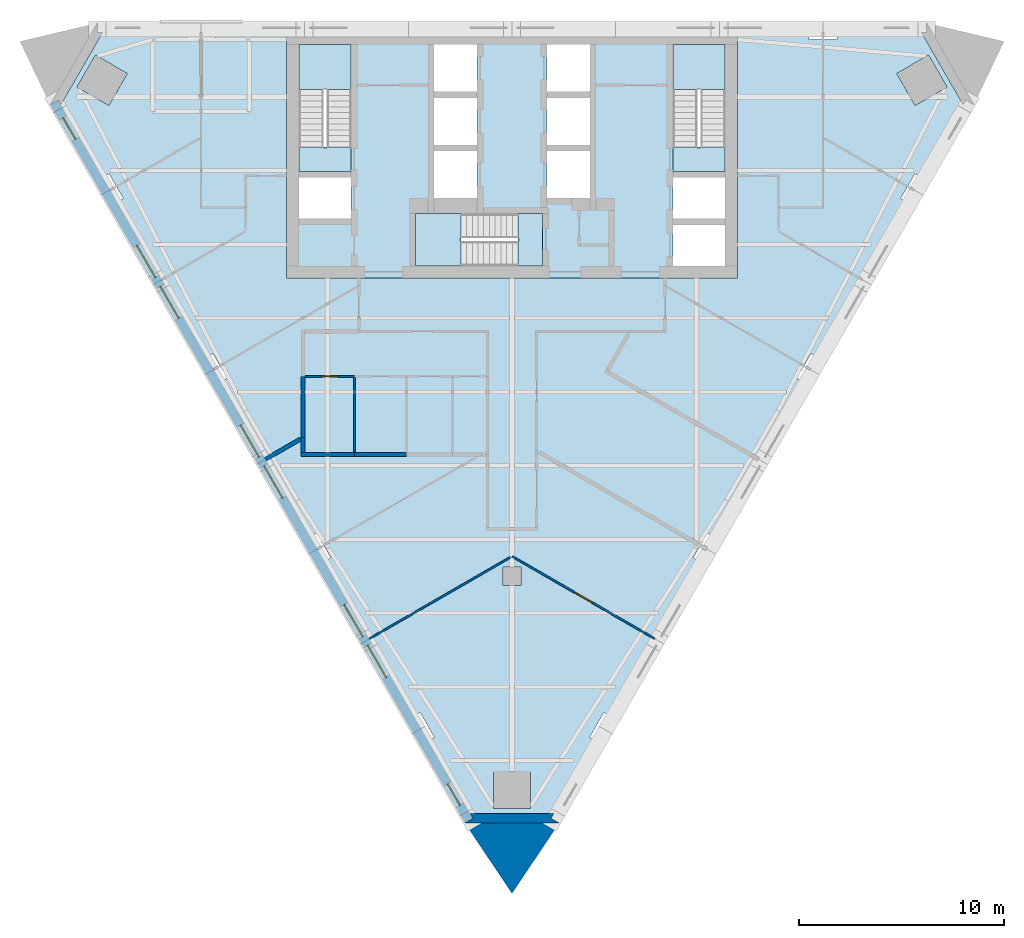
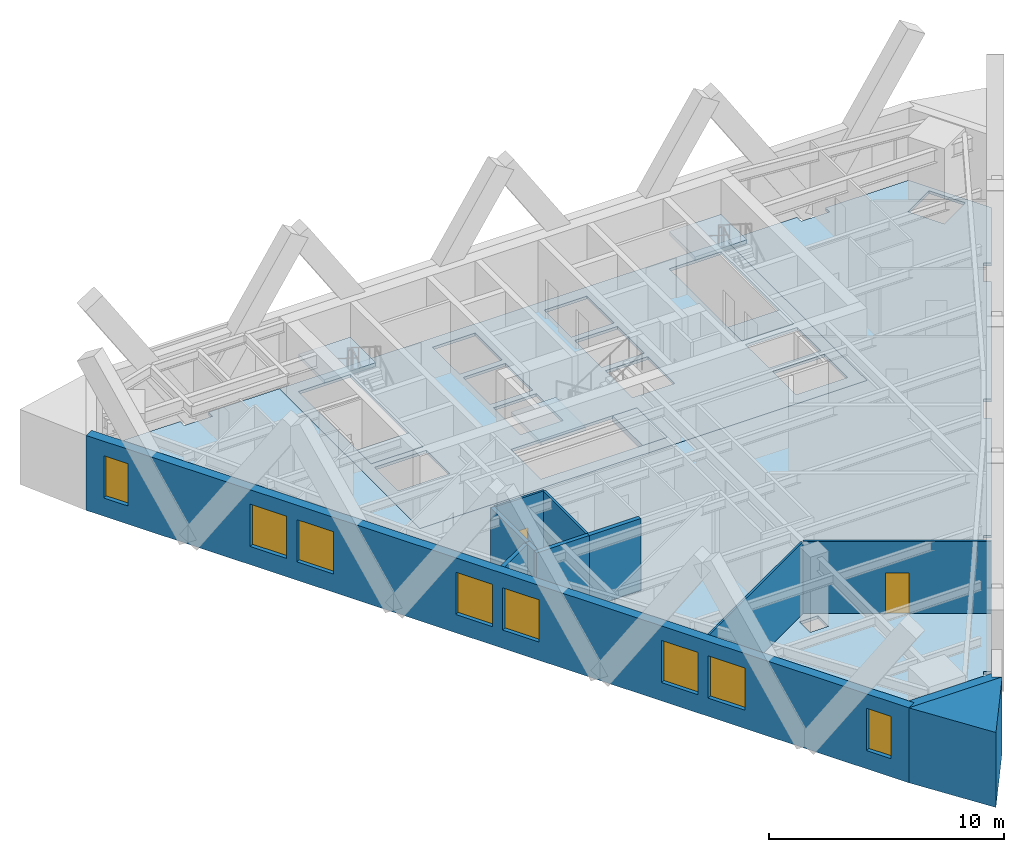
# One storey, part 2 of 7: 12 walls, 8 slabs, 8 windows, 2 doors, 10 openings, 3 elements without a shape of their own.
"""IFC4 building model written with IfcOpenShell, lengths in metres."""

from ifc_helpers import new_model, si_unit, direction, frame, frame_2d, origin, place, context, subcontext, project, spatial, polyline, rectangle, outline, extrude, material, layer, layer_set, type_object, element, fill, aggregate, save


model = new_model("IFC4")

# Units and contexts
model_context = context("Model", 3, precision=1e-05, world=origin(), true_north=direction((0.0, 1.0)))
body_context = subcontext(model_context, "Body", "Model", "MODEL_VIEW")
ifc_project = project(units=[si_unit("LENGTHUNIT", "METRE"), si_unit("AREAUNIT", "SQUARE_METRE"), si_unit("VOLUMEUNIT", "CUBIC_METRE"), si_unit("PLANEANGLEUNIT", "RADIAN"), si_unit("MASSUNIT", "GRAM", prefix="KILO")], contexts=[model_context])

# Site, building, storey
site_placement = place(None, origin())
site = spatial("IfcSite", under=ifc_project, at=site_placement, CompositionType="ELEMENT")
building_placement = place(site_placement, origin())
building = spatial("IfcBuilding", under=site, at=building_placement, Name="Aloe Facet Convention Tower", CompositionType="ELEMENT")
storey_placement = place(building_placement, frame((0.0, 0.0, 136.39990234375)))
storey = spatial("IfcBuildingStorey", under=building, at=storey_placement, Name="L34", CompositionType="ELEMENT", Elevation=136.39990234375)

# Slabs
ifc_material_1 = material(Name="Concrete C60/75", Category="concrete")
ifc_layer_1 = layer(ifc_material_1, 0.14990234375)
ifc_layer_set_1 = layer_set([ifc_layer_1], Name="CR-S-FLOOR150-C6075")
slab_type_1 = type_object("IfcSlabType", Name="CR-S-FLOOR150-C6075", PredefinedType="FLOOR", material=ifc_layer_set_1)
slab_1_placement = place(storey_placement, frame((0.0, 0.0, -0.14990234375)))
element("IfcSlab", 1, at=slab_1_placement, inside=storey, type_object=slab_type_1, Name="Core floor L34", PredefinedType="FLOOR", context=body_context, shape_type="SweptSolid", body=[
    extrude(outline(polyline([(71.85009765625, 134.550048828125), (72.75, 134.550048828125), (75.60009765625, 134.550048828125), (76.5, 134.550048828125), (78.0, 134.550048828125), (78.89990234375, 134.550048828125), (81.10009765625, 134.550048828125), (82.0, 134.550048828125), (83.5, 134.550048828125), (84.39990234375, 134.550048828125), (87.25, 134.550048828125), (88.14990234375, 134.550048828125), (91.0, 134.550048828125), (91.0, 128.050048828125), (91.0, 127.14990234375), (91.0, 125.75), (91.0, 124.85009765625), (91.0, 122.550048828125), (88.14990234375, 122.550048828125), (87.25, 122.550048828125), (85.300048828125, 122.550048828125), (84.39990234375, 122.550048828125), (82.10009765625, 122.550048828125), (81.199951171875, 122.550048828125), (75.60009765625, 122.550048828125), (74.699951171875, 122.550048828125), (72.75, 122.550048828125), (71.85009765625, 122.550048828125), (69.0, 122.550048828125), (69.0, 124.85009765625), (69.0, 125.75), (69.0, 127.14990234375), (69.0, 128.050048828125), (69.0, 134.550048828125), (71.85009765625, 134.550048828125)]), holes=[polyline([(80.298828125, 123.14990234375), (81.5, 123.14990234375), (81.5, 125.699951171875), (80.298828125, 125.699951171875), (75.300048828125, 125.699951171875), (75.300048828125, 123.14990234375), (80.298828125, 123.14990234375)]), polyline([(69.60009765625, 125.449951171875), (72.14990234375, 125.449951171875), (72.14990234375, 127.449951171875), (69.60009765625, 127.449951171875), (69.60009765625, 125.449951171875)]), polyline([(76.199951171875, 126.449951171875), (78.300048828125, 126.449951171875), (78.300048828125, 128.75), (76.199951171875, 128.75), (76.199951171875, 126.449951171875)]), polyline([(78.300048828125, 129.050048828125), (78.300048828125, 131.35009765625), (76.199951171875, 131.35009765625), (76.199951171875, 129.050048828125), (78.300048828125, 129.050048828125)]), polyline([(69.60009765625, 133.949951171875), (69.60009765625, 128.951171875), (69.60009765625, 127.75), (72.14990234375, 127.75), (72.14990234375, 128.951171875), (72.14990234375, 133.949951171875), (69.60009765625, 133.949951171875)]), polyline([(76.199951171875, 131.64990234375), (78.300048828125, 131.64990234375), (78.300048828125, 133.949951171875), (76.199951171875, 133.949951171875), (76.199951171875, 131.64990234375)]), polyline([(90.39990234375, 123.14990234375), (90.39990234375, 125.14990234375), (87.85009765625, 125.14990234375), (87.85009765625, 123.14990234375), (90.39990234375, 123.14990234375)]), polyline([(87.85009765625, 125.449951171875), (90.39990234375, 125.449951171875), (90.39990234375, 127.449951171875), (87.85009765625, 127.449951171875), (87.85009765625, 125.449951171875)]), polyline([(81.699951171875, 126.449951171875), (83.800048828125, 126.449951171875), (83.800048828125, 128.75), (81.699951171875, 128.75), (81.699951171875, 126.449951171875)]), polyline([(83.800048828125, 129.050048828125), (83.800048828125, 131.35009765625), (81.699951171875, 131.35009765625), (81.699951171875, 129.050048828125), (83.800048828125, 129.050048828125)]), polyline([(87.85009765625, 133.949951171875), (87.85009765625, 128.951171875), (87.85009765625, 127.75), (90.39990234375, 127.75), (90.39990234375, 128.951171875), (90.39990234375, 133.949951171875), (87.85009765625, 133.949951171875)]), polyline([(81.699951171875, 131.64990234375), (83.800048828125, 131.64990234375), (83.800048828125, 133.949951171875), (81.699951171875, 133.949951171875), (81.699951171875, 131.64990234375)])]), origin(), (0.0, 0.0, 1.0), 0.14990234375),
])
ifc_material_2 = material(Name="Concrete C60/75", Category="concrete")
ifc_layer_2 = layer(ifc_material_2, 0.300048828125)
ifc_layer_set_2 = layer_set([ifc_layer_2], Name="CR-S-FLOOR300-C6075")
slab_type_2 = type_object("IfcSlabType", Name="CR-S-FLOOR300-C6075", PredefinedType="FLOOR", material=ifc_layer_set_2)
slab_2_placement = place(storey_placement, frame((0.0, 0.0, -0.2998046875)))
element("IfcSlab", 2, at=slab_2_placement, inside=storey, type_object=slab_type_2, Name="Stair landing floor L34", PredefinedType="FLOOR", context=body_context, shape_type="SweptSolid", body=[
    extrude(outline(polyline([(72.14990234375, 127.75), (72.14990234375, 128.951171875), (69.60009765625, 128.951171875), (69.60009765625, 127.75), (72.14990234375, 127.75)])), origin(), (0.0, 0.0, 1.0), 0.2998046875),
])
slab_3_placement = place(storey_placement, frame((0.0, 0.0, -0.2998046875)))
element("IfcSlab", 3, at=slab_3_placement, inside=storey, type_object=slab_type_2, Name="Stair landing floor L34", PredefinedType="FLOOR", context=body_context, shape_type="SweptSolid", body=[
    extrude(outline(polyline([(90.39990234375, 127.75), (90.39990234375, 128.951171875), (87.85009765625, 128.951171875), (87.85009765625, 127.75), (90.39990234375, 127.75)])), origin(), (0.0, 0.0, 1.0), 0.2998046875),
])
slab_4_placement = place(storey_placement, frame((0.0, 0.0, -0.2998046875)))
element("IfcSlab", 4, at=slab_4_placement, inside=storey, type_object=slab_type_2, Name="Stair landing floor L34", PredefinedType="FLOOR", context=body_context, shape_type="SweptSolid", body=[
    extrude(outline(polyline([(81.5, 125.699951171875), (80.298828125, 125.699951171875), (80.298828125, 123.14990234375), (81.5, 123.14990234375), (81.5, 125.699951171875)])), origin(), (0.0, 0.0, 1.0), 0.2998046875),
])

# Stair, slab
ifc_material_3 = material(Name="Concrete C50/60", Category="concrete")
stair_type = type_object("IfcStairType", Name="CR-ST-22R", PredefinedType="HALF_TURN_STAIR", material=ifc_material_3)
stair_1_placement = place(storey_placement, origin())
stair_1 = element("IfcStair", 5, at=stair_1_placement, inside=storey, type_object=stair_type, Name="L34 Protected exit stair ST1", PredefinedType="HALF_TURN_STAIR")
ifc_material_4 = material(Name="Concrete C50/60", Category="concrete")
ifc_layer_3 = layer(ifc_material_4, 0.199951171875)
ifc_layer_set_3 = layer_set([ifc_layer_3], Name="CR-SL-LANDING")
slab_type_3 = type_object("IfcSlabType", Name="CR-SL-LANDING", PredefinedType="LANDING", material=ifc_layer_set_3)
slab_5_placement = place(storey_placement, frame((0.0, 0.0, 1.75)))
slab_5 = element("IfcSlab", 6, at=slab_5_placement, type_object=slab_type_3, Name="ST1 landing 1", PredefinedType="LANDING", context=body_context, shape_type="SweptSolid", body=[
    extrude(outline(polyline([(72.14990234375, 131.75), (72.14990234375, 133.949951171875), (69.60009765625, 133.949951171875), (69.60009765625, 131.75), (72.14990234375, 131.75)])), origin(), (0.0, 0.0, 1.0), 0.2001953125),
])
aggregate(stair_1, [slab_5])

stair_2_placement = place(storey_placement, origin())
stair_2 = element("IfcStair", 7, at=stair_2_placement, inside=storey, type_object=stair_type, Name="L34 Protected exit stair ST2", PredefinedType="HALF_TURN_STAIR")
slab_6_placement = place(storey_placement, frame((0.0, 0.0, 1.75)))
slab_6 = element("IfcSlab", 8, at=slab_6_placement, type_object=slab_type_3, Name="ST2 landing 1", PredefinedType="LANDING", context=body_context, shape_type="SweptSolid", body=[
    extrude(outline(polyline([(90.39990234375, 131.75), (90.39990234375, 133.949951171875), (87.85009765625, 133.949951171875), (87.85009765625, 131.75), (90.39990234375, 131.75)])), origin(), (0.0, 0.0, 1.0), 0.2001953125),
])
aggregate(stair_2, [slab_6])

stair_3_placement = place(storey_placement, origin())
stair_3 = element("IfcStair", 9, at=stair_3_placement, inside=storey, type_object=stair_type, Name="L34 Protected exit stair ST3", PredefinedType="HALF_TURN_STAIR")
slab_7_placement = place(storey_placement, frame((0.0, 0.0, 1.75)))
slab_7 = element("IfcSlab", 10, at=slab_7_placement, type_object=slab_type_3, Name="ST3 landing 1", PredefinedType="LANDING", context=body_context, shape_type="SweptSolid", body=[
    extrude(outline(polyline([(77.5, 125.699951171875), (75.300048828125, 125.699951171875), (75.300048828125, 123.14990234375), (77.5, 123.14990234375), (77.5, 125.699951171875)])), origin(), (0.0, 0.0, 1.0), 0.2001953125),
])
aggregate(stair_3, [slab_7])

# Slab
ifc_material_5 = material(Name="Concrete C35/45", Category="concrete")
ifc_layer_4 = layer(ifc_material_5, 0.14990234375)
ifc_layer_set_4 = layer_set([ifc_layer_4], Name="SF-FS-150")
slab_type_4 = type_object("IfcSlabType", Name="SF-FS-150", PredefinedType="FLOOR", material=ifc_layer_set_4)
slab_8_placement = place(storey_placement, frame((0.0, 0.0, -0.14990234375)))
element("IfcSlab", 11, at=slab_8_placement, inside=storey, type_object=slab_type_4, Name="Floor slab L34-1", PredefinedType="FLOOR", context=body_context, shape_type="SweptSolid", body=[
    extrude(outline(polyline([(102.0234375, 131.016357421875), (99.9697265625, 127.458984375), (99.66650390625, 127.634033203125), (99.617919921875, 127.5498046875), (99.31982421875, 127.033447265625), (99.108154296875, 126.666748046875), (98.97314453125, 126.43310546875), (99.2763671875, 126.258056640625), (94.908935546875, 118.693603515625), (94.605712890625, 118.868408203125), (94.55712890625, 118.7841796875), (94.374755859375, 118.46826171875), (94.259033203125, 118.26806640625), (94.1435546875, 118.06787109375), (93.961181640625, 117.751708984375), (93.912353515625, 117.66748046875), (94.215576171875, 117.49267578125), (89.84814453125, 109.927978515625), (89.544921875, 110.10302734375), (89.496337890625, 110.018798828125), (89.3740234375, 109.806884765625), (89.31396484375, 109.70263671875), (89.1982421875, 109.50244140625), (89.14599609375, 109.411865234375), (88.900390625, 108.986328125), (88.851806640625, 108.902099609375), (89.15478515625, 108.72705078125), (84.787353515625, 101.16259765625), (84.484130859375, 101.33740234375), (84.435546875, 101.253173828125), (84.313232421875, 101.04150390625), (84.253173828125, 100.937255859375), (83.791015625, 100.136474609375), (84.093994140625, 99.96142578125), (82.040283203125, 96.404296875), (77.959716796875, 96.404296875), (75.906005859375, 99.96142578125), (76.208984375, 100.136474609375), (75.97802734375, 100.536865234375), (75.71533203125, 100.99169921875), (75.564453125, 101.253173828125), (75.515869140625, 101.33740234375), (75.212646484375, 101.16259765625), (70.84521484375, 108.72705078125), (71.148193359375, 108.902099609375), (71.099609375, 108.986328125), (71.050048828125, 109.072509765625), (70.917236328125, 109.30224609375), (70.455078125, 110.10302734375), (70.15185546875, 109.927978515625), (65.784423828125, 117.49267578125), (66.087646484375, 117.66748046875), (66.038818359375, 117.751708984375), (65.86865234375, 118.046630859375), (65.8564453125, 118.06787109375), (65.8564453125, 118.06787109375), (65.394287109375, 118.868408203125), (65.091064453125, 118.693603515625), (60.7236328125, 126.258056640625), (61.02685546875, 126.43310546875), (60.68017578125, 127.033447265625), (60.626708984375, 127.1259765625), (60.564453125, 127.233642578125), (60.382080078125, 127.5498046875), (60.33349609375, 127.634033203125), (60.0302734375, 127.458984375), (57.9765625, 131.016357421875), (60.0166015625, 134.550048828125), (64.124267578125, 134.550048828125), (64.124267578125, 134.199951171875), (64.2216796875, 134.199951171875), (64.58642578125, 134.199951171875), (64.817626953125, 134.199951171875), (65.048828125, 134.199951171875), (65.413818359375, 134.199951171875), (65.510986328125, 134.199951171875), (65.510986328125, 134.550048828125), (69.0, 134.550048828125), (69.0, 128.050048828125), (69.0, 127.14990234375), (69.0, 125.75), (69.0, 124.85009765625), (69.0, 122.550048828125), (71.85009765625, 122.550048828125), (72.75, 122.550048828125), (74.699951171875, 122.550048828125), (75.60009765625, 122.550048828125), (81.199951171875, 122.550048828125), (82.10009765625, 122.550048828125), (84.39990234375, 122.550048828125), (85.300048828125, 122.550048828125), (87.25, 122.550048828125), (88.14990234375, 122.550048828125), (91.0, 122.550048828125), (91.0, 124.85009765625), (91.0, 125.75), (91.0, 127.14990234375), (91.0, 128.050048828125), (91.0, 134.550048828125), (94.489013671875, 134.550048828125), (94.489013671875, 134.199951171875), (94.586181640625, 134.199951171875), (94.951171875, 134.199951171875), (95.182373046875, 134.199951171875), (95.41357421875, 134.199951171875), (95.7783203125, 134.199951171875), (95.875732421875, 134.199951171875), (95.875732421875, 134.550048828125), (99.9833984375, 134.550048828125), (102.0234375, 131.016357421875)]), holes=[polyline([(61.221923828125, 132.53759765625), (59.6630859375, 133.4375), (58.76318359375, 131.878662109375), (60.322021484375, 130.978759765625), (61.221923828125, 132.53759765625)]), polyline([(79.10009765625, 98.4541015625), (79.10009765625, 96.654296875), (80.89990234375, 96.654296875), (80.89990234375, 98.4541015625), (79.10009765625, 98.4541015625)]), polyline([(79.550048828125, 107.550048828125), (80.449951171875, 107.550048828125), (80.449951171875, 108.449951171875), (79.550048828125, 108.449951171875), (79.550048828125, 107.550048828125)]), polyline([(99.677978515625, 130.978759765625), (101.23681640625, 131.878662109375), (100.3369140625, 133.4375), (98.778076171875, 132.53759765625), (99.677978515625, 130.978759765625)])]), origin(), (0.0, 0.0, 1.0), 0.14990234375),
])

# Walls
ifc_material_6 = material(Name="Precast concrete C40/50", Category="concrete")
ifc_layer_5 = layer(ifc_material_6, 0.449951171875)
ifc_layer_set_5 = layer_set([ifc_layer_5], Name="EV-WALL-PIER")
wall_type_1 = type_object("IfcWallType", Name="EV-WALL-PIER", PredefinedType="SOLIDWALL", material=ifc_layer_set_5)
wall_1_placement = place(storey_placement, frame((0.0, 0.0, -0.14990234375)))
element("IfcWall", 12, at=wall_1_placement, inside=storey, type_object=wall_type_1, Name="EP-L34-B", PredefinedType="SOLIDWALL", context=body_context, shape_type="SweptSolid", body=[
    extrude(outline(polyline([(77.699951171875, 95.954345703125), (78.089599609375, 96.17919921875), (77.959716796875, 96.404296875), (82.040283203125, 96.404296875), (81.910400390625, 96.17919921875), (82.300048828125, 95.954345703125), (77.699951171875, 95.954345703125)])), origin(), (0.0, 0.0, 1.0), 3.89990234375),
])
ifc_material_7 = material(Name="Precast concrete C40/50", Category="concrete")
ifc_layer_6 = layer(ifc_material_7, 3.947998046875)
ifc_layer_set_6 = layer_set([ifc_layer_6], Name="EV-WALL-SPINE")
wall_type_2 = type_object("IfcWallType", Name="EV-WALL-SPINE", PredefinedType="SOLIDWALL", material=ifc_layer_set_6)
wall_2_placement = place(storey_placement, frame((0.0, 0.0, -0.14990234375)))
element("IfcWall", 13, at=wall_2_placement, inside=storey, type_object=wall_type_2, Name="SP-S-L34", PredefinedType="SOLIDWALL", context=body_context, shape_type="SweptSolid", body=[
    extrude(outline(polyline([(77.699951171875, 95.954345703125), (80.0, 92.505615234375), (82.300048828125, 95.954345703125), (77.699951171875, 95.954345703125)])), origin(), (0.0, 0.0, 1.0), 3.89990234375),
])

# Wall, openings, windows
ifc_material_8 = material(Name="Precast concrete C40/50", Category="concrete")
ifc_layer_7 = layer(ifc_material_8, 0.449951171875)
ifc_layer_set_7 = layer_set([ifc_layer_7], Name="EV-WALL-STONE")
wall_type_3 = type_object("IfcWallType", Name="EV-WALL-STONE", PredefinedType="SOLIDWALL", material=ifc_layer_set_7)
wall_3_placement = place(storey_placement, frame((57.65185546875, 131.128662109375, -0.14990234375), z_axis=(0.0, 0.0, 1.0), x_axis=(0.499997369791, -0.866026922331, 0.0)))
wall_3 = element("IfcWall", 14, at=wall_3_placement, inside=storey, type_object=wall_type_3, Name="EW-L34-W01", PredefinedType="SOLIDWALL", context=body_context, shape_type="SweptSolid", body=[
    extrude(outline(polyline([(40.486083984375, 0.0), (40.486083984375, 3.89990234375), (0.0, 3.89990234375), (0.0, 0.0), (40.486083984375, 0.0)])), frame((0.0, 0.22509765625, 0.0), z_axis=(0.0, -1.0, 0.0), x_axis=(1.0, 0.0, 0.0)), (0.0, 0.0, 1.0), 0.449951171875),
])
opening_1_placement = place(wall_3_placement, frame((0.86962890625, 0.0, 0.949951171875)))
opening_1 = element("IfcOpeningElement", 15, at=opening_1_placement, cuts=wall_3, Name="Opening W-L34-W01", PredefinedType="OPENING", context=body_context, shape_type="SweptSolid", body=[
    extrude(rectangle(XDim=1.199951171875, YDim=2.199951171875, at=frame_2d((0.60009765625, 1.10009765625))), frame((0.0, 0.23486328125, 0.0), z_axis=(0.0, -1.0, 0.0), x_axis=(1.0, 0.0, 0.0)), (0.0, 0.0, 1.0), 0.469970703125),
])
opening_2_placement = place(wall_3_placement, frame((8.071533203125, 0.0, 0.949951171875)))
opening_2 = element("IfcOpeningElement", 16, at=opening_2_placement, cuts=wall_3, Name="Opening W-L34-W02", PredefinedType="OPENING", context=body_context, shape_type="SweptSolid", body=[
    extrude(rectangle(XDim=1.800048828125, YDim=2.199951171875, at=frame_2d((0.89990234375, 1.10009765625))), frame((0.0, 0.23486328125, 0.0), z_axis=(0.0, -1.0, 0.0), x_axis=(1.0, 0.0, 0.0)), (0.0, 0.0, 1.0), 0.469970703125),
])
opening_3_placement = place(wall_3_placement, frame((10.37158203125, 0.0, 0.949951171875)))
opening_3 = element("IfcOpeningElement", 17, at=opening_3_placement, cuts=wall_3, Name="Opening W-L34-W03", PredefinedType="OPENING", context=body_context, shape_type="SweptSolid", body=[
    extrude(rectangle(XDim=1.800048828125, YDim=2.199951171875, at=frame_2d((0.89990234375, 1.10009765625))), frame((0.0, 0.23486328125, 0.0), z_axis=(0.0, -1.0, 0.0), x_axis=(1.0, 0.0, 0.0)), (0.0, 0.0, 1.0), 0.469970703125),
])
opening_4_placement = place(wall_3_placement, frame((18.193115234375, 0.0, 0.949951171875)))
opening_4 = element("IfcOpeningElement", 18, at=opening_4_placement, cuts=wall_3, Name="Opening W-L34-W04", PredefinedType="OPENING", context=body_context, shape_type="SweptSolid", body=[
    extrude(rectangle(XDim=1.800048828125, YDim=2.199951171875, at=frame_2d((0.89990234375, 1.10009765625))), frame((0.0, 0.23486328125, 0.0), z_axis=(0.0, -1.0, 0.0), x_axis=(1.0, 0.0, 0.0)), (0.0, 0.0, 1.0), 0.469970703125),
])
opening_5_placement = place(wall_3_placement, frame((20.4931640625, 0.0, 0.949951171875)))
opening_5 = element("IfcOpeningElement", 19, at=opening_5_placement, cuts=wall_3, Name="Opening W-L34-W05", PredefinedType="OPENING", context=body_context, shape_type="SweptSolid", body=[
    extrude(rectangle(XDim=1.800048828125, YDim=2.199951171875, at=frame_2d((0.89990234375, 1.10009765625))), frame((0.0, 0.23486328125, 0.0), z_axis=(0.0, -1.0, 0.0), x_axis=(1.0, 0.0, 0.0)), (0.0, 0.0, 1.0), 0.469970703125),
])
opening_6_placement = place(wall_3_placement, frame((28.314697265625, 0.0, 0.949951171875)))
opening_6 = element("IfcOpeningElement", 20, at=opening_6_placement, cuts=wall_3, Name="Opening W-L34-W06", PredefinedType="OPENING", context=body_context, shape_type="SweptSolid", body=[
    extrude(rectangle(XDim=1.800048828125, YDim=2.199951171875, at=frame_2d((0.89990234375, 1.10009765625))), frame((0.0, 0.23486328125, 0.0), z_axis=(0.0, -1.0, 0.0), x_axis=(1.0, 0.0, 0.0)), (0.0, 0.0, 1.0), 0.469970703125),
])
opening_7_placement = place(wall_3_placement, frame((30.614501953125, 0.0, 0.949951171875)))
opening_7 = element("IfcOpeningElement", 21, at=opening_7_placement, cuts=wall_3, Name="Opening W-L34-W07", PredefinedType="OPENING", context=body_context, shape_type="SweptSolid", body=[
    extrude(rectangle(XDim=1.800048828125, YDim=2.199951171875, at=frame_2d((0.89990234375, 1.10009765625))), frame((0.0, 0.23486328125, 0.0), z_axis=(0.0, -1.0, 0.0), x_axis=(1.0, 0.0, 0.0)), (0.0, 0.0, 1.0), 0.469970703125),
])
opening_8_placement = place(wall_3_placement, frame((38.41650390625, 0.0, 0.949951171875)))
opening_8 = element("IfcOpeningElement", 22, at=opening_8_placement, cuts=wall_3, Name="Opening W-L34-W08", PredefinedType="OPENING", context=body_context, shape_type="SweptSolid", body=[
    extrude(rectangle(XDim=1.199951171875, YDim=2.199951171875, at=frame_2d((0.60009765625, 1.10009765625))), frame((0.0, 0.23486328125, 0.0), z_axis=(0.0, -1.0, 0.0), x_axis=(1.0, 0.0, 0.0)), (0.0, 0.0, 1.0), 0.469970703125),
])
ifc_material_9 = material(Name="Aluminium frame, clear double glazing", Category="aluminium")
window_type_1 = type_object("IfcWindowType", Name="EV-WIN-O12", PartitioningType="SINGLE_PANEL", PredefinedType="WINDOW", material=ifc_material_9)
window_1_placement = place(opening_1_placement, origin())
window_1 = element("IfcWindow", 23, at=window_1_placement, inside=storey, type_object=window_type_1, Name="W-L34-W01", OverallHeight=2.199951171875, OverallWidth=1.199951171875, PartitioningType="SINGLE_PANEL", PredefinedType="WINDOW", context=body_context, shape_type="SweptSolid", body=[
    extrude(rectangle(XDim=1.199951171875, YDim=2.199951171875, at=frame_2d((0.60009765625, 1.10009765625))), frame((0.0, 0.030029296875, 0.0), z_axis=(0.0, -1.0, 0.0), x_axis=(1.0, 0.0, 0.0)), (0.0, 0.0, 1.0), 0.06005859375),
])
fill(opening_1, window_1)
window_2_placement = place(opening_8_placement, origin())
window_2 = element("IfcWindow", 24, at=window_2_placement, inside=storey, type_object=window_type_1, Name="W-L34-W08", OverallHeight=2.199951171875, OverallWidth=1.199951171875, PartitioningType="SINGLE_PANEL", PredefinedType="WINDOW", context=body_context, shape_type="SweptSolid", body=[
    extrude(rectangle(XDim=1.199951171875, YDim=2.199951171875, at=frame_2d((0.60009765625, 1.10009765625))), frame((0.0, 0.030029296875, 0.0), z_axis=(0.0, -1.0, 0.0), x_axis=(1.0, 0.0, 0.0)), (0.0, 0.0, 1.0), 0.06005859375),
])
fill(opening_8, window_2)
ifc_material_10 = material(Name="Aluminium frame, clear double glazing", Category="aluminium")
window_type_2 = type_object("IfcWindowType", Name="EV-WIN-O18", PartitioningType="SINGLE_PANEL", PredefinedType="WINDOW", material=ifc_material_10)
window_3_placement = place(opening_2_placement, origin())
window_3 = element("IfcWindow", 25, at=window_3_placement, inside=storey, type_object=window_type_2, Name="W-L34-W02", OverallHeight=2.199951171875, OverallWidth=1.800048828125, PartitioningType="SINGLE_PANEL", PredefinedType="WINDOW", context=body_context, shape_type="SweptSolid", body=[
    extrude(rectangle(XDim=1.800048828125, YDim=2.199951171875, at=frame_2d((0.89990234375, 1.10009765625))), frame((0.0, 0.030029296875, 0.0), z_axis=(0.0, -1.0, 0.0), x_axis=(1.0, 0.0, 0.0)), (0.0, 0.0, 1.0), 0.06005859375),
])
fill(opening_2, window_3)
window_4_placement = place(opening_3_placement, origin())
window_4 = element("IfcWindow", 26, at=window_4_placement, inside=storey, type_object=window_type_2, Name="W-L34-W03", OverallHeight=2.199951171875, OverallWidth=1.800048828125, PartitioningType="SINGLE_PANEL", PredefinedType="WINDOW", context=body_context, shape_type="SweptSolid", body=[
    extrude(rectangle(XDim=1.800048828125, YDim=2.199951171875, at=frame_2d((0.89990234375, 1.10009765625))), frame((0.0, 0.030029296875, 0.0), z_axis=(0.0, -1.0, 0.0), x_axis=(1.0, 0.0, 0.0)), (0.0, 0.0, 1.0), 0.06005859375),
])
fill(opening_3, window_4)
window_5_placement = place(opening_4_placement, origin())
window_5 = element("IfcWindow", 27, at=window_5_placement, inside=storey, type_object=window_type_2, Name="W-L34-W04", OverallHeight=2.199951171875, OverallWidth=1.800048828125, PartitioningType="SINGLE_PANEL", PredefinedType="WINDOW", context=body_context, shape_type="SweptSolid", body=[
    extrude(rectangle(XDim=1.800048828125, YDim=2.199951171875, at=frame_2d((0.89990234375, 1.10009765625))), frame((0.0, 0.030029296875, 0.0), z_axis=(0.0, -1.0, 0.0), x_axis=(1.0, 0.0, 0.0)), (0.0, 0.0, 1.0), 0.06005859375),
])
fill(opening_4, window_5)
window_6_placement = place(opening_5_placement, origin())
window_6 = element("IfcWindow", 28, at=window_6_placement, inside=storey, type_object=window_type_2, Name="W-L34-W05", OverallHeight=2.199951171875, OverallWidth=1.800048828125, PartitioningType="SINGLE_PANEL", PredefinedType="WINDOW", context=body_context, shape_type="SweptSolid", body=[
    extrude(rectangle(XDim=1.800048828125, YDim=2.199951171875, at=frame_2d((0.89990234375, 1.10009765625))), frame((0.0, 0.030029296875, 0.0), z_axis=(0.0, -1.0, 0.0), x_axis=(1.0, 0.0, 0.0)), (0.0, 0.0, 1.0), 0.06005859375),
])
fill(opening_5, window_6)
window_7_placement = place(opening_6_placement, origin())
window_7 = element("IfcWindow", 29, at=window_7_placement, inside=storey, type_object=window_type_2, Name="W-L34-W06", OverallHeight=2.199951171875, OverallWidth=1.800048828125, PartitioningType="SINGLE_PANEL", PredefinedType="WINDOW", context=body_context, shape_type="SweptSolid", body=[
    extrude(rectangle(XDim=1.800048828125, YDim=2.199951171875, at=frame_2d((0.89990234375, 1.10009765625))), frame((0.0, 0.030029296875, 0.0), z_axis=(0.0, -1.0, 0.0), x_axis=(1.0, 0.0, 0.0)), (0.0, 0.0, 1.0), 0.06005859375),
])
fill(opening_6, window_7)
window_8_placement = place(opening_7_placement, origin())
window_8 = element("IfcWindow", 30, at=window_8_placement, inside=storey, type_object=window_type_2, Name="W-L34-W07", OverallHeight=2.199951171875, OverallWidth=1.800048828125, PartitioningType="SINGLE_PANEL", PredefinedType="WINDOW", context=body_context, shape_type="SweptSolid", body=[
    extrude(rectangle(XDim=1.800048828125, YDim=2.199951171875, at=frame_2d((0.89990234375, 1.10009765625))), frame((0.0, 0.030029296875, 0.0), z_axis=(0.0, -1.0, 0.0), x_axis=(1.0, 0.0, 0.0)), (0.0, 0.0, 1.0), 0.06005859375),
])
fill(opening_7, window_8)

# Wall, opening, door
ifc_material_11 = material(Name="Gypsum board partition on steel studs", Category="steel")
ifc_layer_8 = layer(ifc_material_11, 0.10009765625)
ifc_layer_set_8 = layer_set([ifc_layer_8], Name="IN-W-PART")
wall_type_4 = type_object("IfcWallType", Name="IN-W-PART", PredefinedType="PARTITIONING", material=ifc_layer_set_8)
wall_4_placement = place(storey_placement, frame((80.0, 108.969482421875, 0.0), z_axis=(0.0, 0.0, 1.0), x_axis=(0.86602648383, -0.499998129301, 0.0)))
wall_4 = element("IfcWall", 31, at=wall_4_placement, inside=storey, type_object=wall_type_4, Name="Partition L34-W001", PredefinedType="PARTITIONING", context=body_context, shape_type="SweptSolid", body=[
    extrude(rectangle(XDim=8.04931640625, YDim=0.10009765625, at=frame_2d((4.024658203125, 0.0))), origin(), (0.0, 0.0, 1.0), 3.75),
])
opening_9_placement = place(wall_4_placement, frame((3.524658203125, 0.0, 0.0)))
opening_9 = element("IfcOpeningElement", 32, at=opening_9_placement, cuts=wall_4, Name="Opening L34-018", PredefinedType="OPENING", context=body_context, shape_type="SweptSolid", body=[
    extrude(rectangle(XDim=1.0, YDim=2.10009765625, at=frame_2d((0.5, 1.050048828125))), frame((0.0, 0.06005859375, 0.0), z_axis=(0.0, -1.0, 0.0), x_axis=(1.0, 0.0, 0.0)), (0.0, 0.0, 1.0), 0.1201171875),
])
ifc_material_12 = material(Name="Timber door", Category="wood")
door_type_1 = type_object("IfcDoorType", Name="IN-OFF-D-WIDE", OperationType="SINGLE_SWING_LEFT", PredefinedType="DOOR", material=ifc_material_12)
door_1_placement = place(opening_9_placement, origin())
door_1 = element("IfcDoor", 33, at=door_1_placement, inside=storey, type_object=door_type_1, Name="Door L34-018", OperationType="SINGLE_SWING_LEFT", OverallHeight=2.10009765625, OverallWidth=1.0, PredefinedType="DOOR", context=body_context, shape_type="SweptSolid", body=[
    extrude(rectangle(XDim=1.0, YDim=2.10009765625, at=frame_2d((0.5, 1.050048828125))), frame((0.0, 0.02490234375, 0.0), z_axis=(0.0, -1.0, 0.0), x_axis=(1.0, 0.0, 0.0)), (0.0, 0.0, 1.0), 0.050048828125),
])
fill(opening_9, door_1)

# Walls
wall_5_placement = place(storey_placement, frame((73.029052734375, 104.94482421875, 0.0), z_axis=(0.0, 0.0, 1.0), x_axis=(0.866023222546, 0.500003777996, 0.0)))
element("IfcWall", 34, at=wall_5_placement, inside=storey, type_object=wall_type_4, Name="Partition L34-W002", PredefinedType="PARTITIONING", context=body_context, shape_type="SweptSolid", body=[
    extrude(rectangle(XDim=7.962890625, YDim=0.10009765625, at=frame_2d((3.9814453125, 0.0))), origin(), (0.0, 0.0, 1.0), 3.75),
])
wall_6_placement = place(storey_placement, frame((72.310302734375, 114.050048828125, 0.0), z_axis=(0.0, 0.0, 1.0), x_axis=(0.002608686776, 0.999996597371, 0.0)))
element("IfcWall", 35, at=wall_6_placement, inside=storey, type_object=wall_type_4, Name="Partition L34-W018", PredefinedType="PARTITIONING", context=body_context, shape_type="SweptSolid", body=[
    extrude(rectangle(XDim=3.64990234375, YDim=0.10009765625, at=frame_2d((1.824951171875, 0.0))), origin(), (0.0, 0.0, 1.0), 3.75),
])

# Wall, opening, door
wall_7_placement = place(storey_placement, frame((69.89990234375, 117.75, 0.0), z_axis=(0.0, 0.0, 1.0), x_axis=(1.0, 0.0, 0.0)))
wall_7 = element("IfcWall", 36, at=wall_7_placement, inside=storey, type_object=wall_type_4, Name="Partition L34-W019", PredefinedType="PARTITIONING", context=body_context, shape_type="SweptSolid", body=[
    extrude(rectangle(XDim=2.420166015625, YDim=0.10009765625, at=frame_2d((1.2099609375, 0.0))), origin(), (0.0, 0.0, 1.0), 3.75),
])
opening_10_placement = place(wall_7_placement, frame((0.81005859375, 0.0, 0.0)))
opening_10 = element("IfcOpeningElement", 37, at=opening_10_placement, cuts=wall_7, Name="Opening L34-002", PredefinedType="OPENING", context=body_context, shape_type="SweptSolid", body=[
    extrude(rectangle(XDim=0.800048828125, YDim=2.10009765625, at=frame_2d((0.39990234375, 1.050048828125))), frame((0.0, 0.06005859375, 0.0), z_axis=(0.0, -1.0, 0.0), x_axis=(1.0, 0.0, 0.0)), (0.0, 0.0, 1.0), 0.1201171875),
])
ifc_material_13 = material(Name="Timber door", Category="wood")
door_type_2 = type_object("IfcDoorType", Name="IN-OFF-D-WC", OperationType="SINGLE_SWING_LEFT", PredefinedType="DOOR", material=ifc_material_13)
door_2_placement = place(opening_10_placement, origin())
door_2 = element("IfcDoor", 38, at=door_2_placement, inside=storey, type_object=door_type_2, Name="Door L34-002", OperationType="SINGLE_SWING_LEFT", OverallHeight=2.10009765625, OverallWidth=0.800048828125, PredefinedType="DOOR", context=body_context, shape_type="SweptSolid", body=[
    extrude(rectangle(XDim=0.800048828125, YDim=2.10009765625, at=frame_2d((0.39990234375, 1.050048828125))), frame((0.0, 0.02490234375, 0.0), z_axis=(0.0, -1.0, 0.0), x_axis=(1.0, 0.0, 0.0)), (0.0, 0.0, 1.0), 0.050048828125),
])
fill(opening_10, door_2)

# Walls
ifc_material_14 = material(Name="Gypsum board partition on steel studs", Category="steel")
ifc_layer_9 = layer(ifc_material_14, 0.199951171875)
ifc_layer_set_9 = layer_set([ifc_layer_9], Name="IN-W-PARTY")
wall_type_5 = type_object("IfcWallType", Name="IN-W-PARTY", PredefinedType="PARTITIONING", material=ifc_layer_set_9)
wall_8_placement = place(storey_placement, frame((67.96826171875, 113.710205078125, 0.0), z_axis=(0.0, 0.0, 1.0), x_axis=(0.866009734793, 0.500027138508, 0.0)))
element("IfcWall", 39, at=wall_8_placement, inside=storey, type_object=wall_type_5, Name="Partition L34-W006", PredefinedType="PARTITIONING", context=body_context, shape_type="SweptSolid", body=[
    extrude(rectangle(XDim=1.96533203125, YDim=0.199951171875, at=frame_2d((0.982666015625, 0.0))), origin(), (0.0, 0.0, 1.0), 3.75),
])
wall_9_placement = place(storey_placement, frame((69.701904296875, 113.949951171875, 0.0), z_axis=(0.0, 0.0, 1.0), x_axis=(1.0, 0.0, 0.0)))
element("IfcWall", 40, at=wall_9_placement, inside=storey, type_object=wall_type_5, Name="Partition L34-W008", PredefinedType="PARTITIONING", context=body_context, shape_type="SweptSolid", body=[
    extrude(rectangle(XDim=2.608154296875, YDim=0.199951171875, at=frame_2d((1.30419921875, 0.0))), origin(), (0.0, 0.0, 1.0), 3.75),
])
wall_10_placement = place(storey_placement, frame((72.31005859375, 113.949951171875, 0.0), z_axis=(0.0, 0.0, 1.0), x_axis=(1.0, 0.0, 0.0)))
element("IfcWall", 41, at=wall_10_placement, inside=storey, type_object=wall_type_5, Name="Partition L34-W009", PredefinedType="PARTITIONING", context=body_context, shape_type="SweptSolid", body=[
    extrude(rectangle(XDim=2.5400390625, YDim=0.199951171875, at=frame_2d((1.27001953125, 0.0))), origin(), (0.0, 0.0, 1.0), 3.75),
])
wall_11_placement = place(storey_placement, frame((69.8017578125, 114.050048828125, 0.0), z_axis=(0.0, 0.0, 1.0), x_axis=(-0.002380945632, 0.999997165545, 0.0)))
element("IfcWall", 42, at=wall_11_placement, inside=storey, type_object=wall_type_5, Name="Partition L34-W016", PredefinedType="PARTITIONING", context=body_context, shape_type="SweptSolid", body=[
    extrude(rectangle(XDim=0.7177734375, YDim=0.199951171875, at=frame_2d((0.35888671875, 0.0))), origin(), (0.0, 0.0, 1.0), 3.75),
])
wall_12_placement = place(storey_placement, frame((69.800048828125, 114.767822265625, 0.0), z_axis=(0.0, 0.0, 1.0), x_axis=(0.0, 1.0, 0.0)))
element("IfcWall", 43, at=wall_12_placement, inside=storey, type_object=wall_type_5, Name="Partition L34-W025", PredefinedType="PARTITIONING", context=body_context, shape_type="SweptSolid", body=[
    extrude(rectangle(XDim=2.982177734375, YDim=0.199951171875, at=frame_2d((1.4912109375, 0.0))), origin(), (0.0, 0.0, 1.0), 3.75),
])

save(model, "model.ifc")
